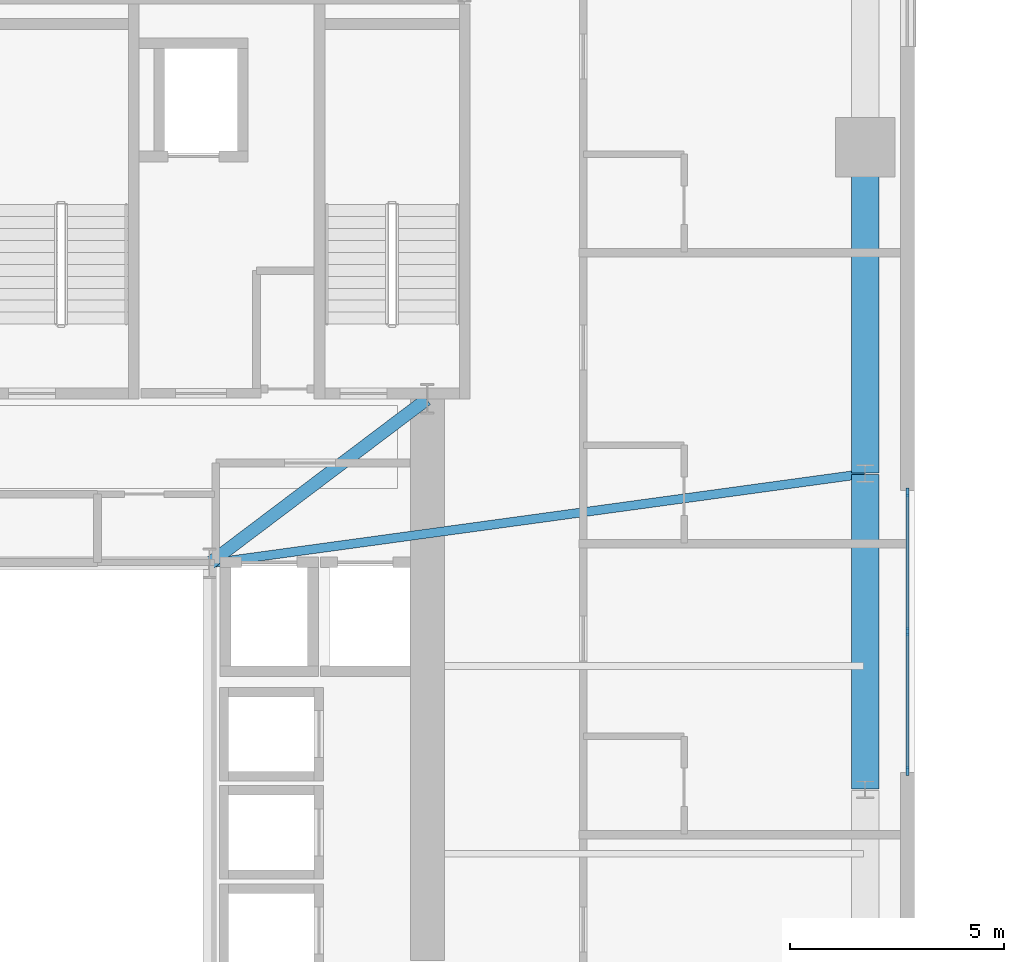
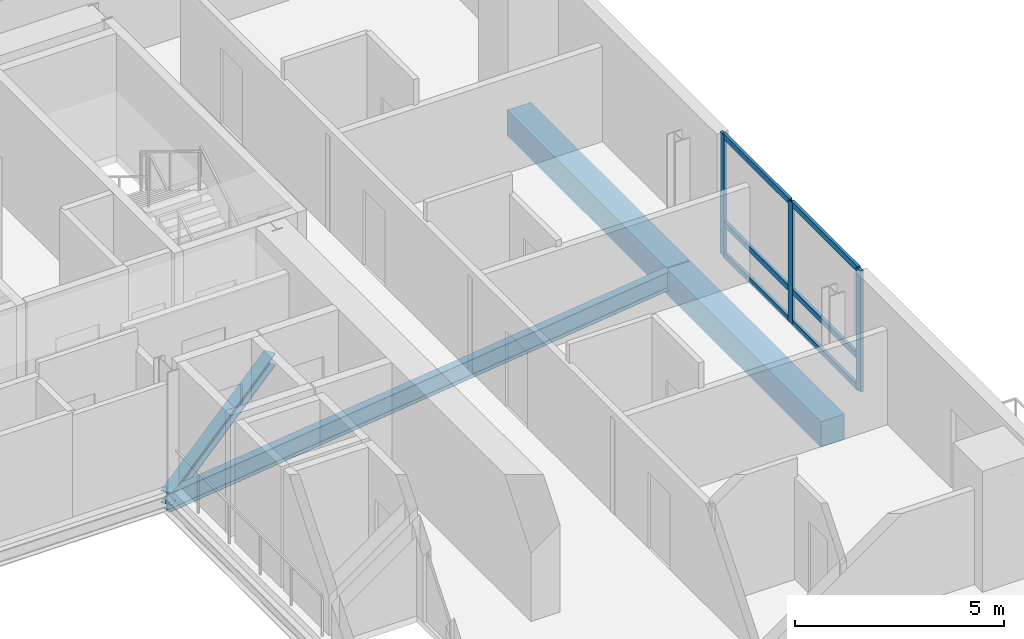
# One storey, part 5 of 16: 9 members, 4 beams, 1 element without a shape of its own.
"""IFC4 building model written with IfcOpenShell, lengths in metres."""

from ifc_helpers import new_model, si_unit, direction, frame, origin, origin_2d, place, context, subcontext, project, spatial, rectangle, i_section, extrude, source, transform, mapped, material, material_profile, profile_set, type_object, element, aggregate, save


model = new_model("IFC4")

# Units and contexts
model_context = context("Model", 3, precision=1e-05, world=origin(), true_north=direction((0.0, 1.0)))
body_context = subcontext(model_context, "Body", "Model", "MODEL_VIEW")
ifc_project = project(units=[si_unit("LENGTHUNIT", "METRE"), si_unit("AREAUNIT", "SQUARE_METRE"), si_unit("VOLUMEUNIT", "CUBIC_METRE"), si_unit("PLANEANGLEUNIT", "RADIAN"), si_unit("MASSUNIT", "GRAM", prefix="KILO")], contexts=[model_context])

# Site, building, storey
site_placement = place(None, origin())
site = spatial("IfcSite", under=ifc_project, at=site_placement, CompositionType="ELEMENT")
building_placement = place(site_placement, origin())
building = spatial("IfcBuilding", under=site, at=building_placement, Name="Vardaveli Station Tower", CompositionType="ELEMENT")
storey_placement = place(building_placement, frame((0.0, 0.0, 199.800048828125)))
storey = spatial("IfcBuildingStorey", under=building, at=storey_placement, Name="L51", CompositionType="ELEMENT", Elevation=199.800048828125)

# Beams
ifc_material_1 = material(Name="Structural steel S355J2", Category="steel")
ifc_material_profile_1 = material_profile(ifc_material_1, i_section(OverallWidth=0.300048828125, OverallDepth=0.360107421875, WebThickness=0.012451171875, FlangeThickness=0.0224609375, FilletRadius=0.027099609375, at=origin_2d()), Name="HEB 360")
ifc_profile_set_1 = profile_set([ifc_material_profile_1], Name="Structural steel S355J2")
beam_type_1 = type_object("IfcBeamType", Name="BM-HEB360", PredefinedType="BEAM", material=ifc_profile_set_1)
shared_shape_1 = source(origin(), body_context, "Body", "SweptSolid", [
    extrude(i_section(OverallWidth=0.300048828125, OverallDepth=0.360107421875, WebThickness=0.012451171875, FlangeThickness=0.0224609375, FilletRadius=0.027099609375, at=origin_2d()), origin(), (0.0, 0.0, 1.0), 6.35009765625),
])
beam_1_placement = place(storey_placement, frame((41.416015625, 26.81201171875, -0.400146484375), z_axis=(0.798118337722, 0.602500721154, 0.0), x_axis=(-0.602500721154, 0.798118337722, 0.0)))
element("IfcBeam", 1, at=beam_1_placement, inside=storey, type_object=beam_type_1, Name="CBM-L51-02", PredefinedType="BEAM", context=body_context, shape_type="MappedRepresentation", body=[
    mapped(shared_shape_1, transform((0.0, 0.0, 0.0), scale=1.0)),
])
ifc_material_2 = material(Name="Precast concrete C45/55", Category="concrete")
ifc_material_profile_2 = material_profile(ifc_material_2, rectangle(XDim=0.64990234375, YDim=0.75, at=origin_2d()), Name="LPB 650x750")
ifc_profile_set_2 = profile_set([ifc_material_profile_2], Name="Precast concrete C45/55")
beam_type_2 = type_object("IfcBeamType", Name="BM-LPB-750", PredefinedType="BEAM", material=ifc_profile_set_2)
shared_shape_2 = source(origin(), body_context, "Body", "SweptSolid", [
    extrude(rectangle(XDim=0.64990234375, YDim=0.75, at=origin_2d()), origin(), (0.0, 0.0, 1.0), 7.60009765625),
])
beam_2_placement = place(storey_placement, frame((56.75, 28.919921875, -0.594970703125), z_axis=(0.0, 1.0, 0.0), x_axis=(-1.0, 0.0, 0.0)))
element("IfcBeam", 2, at=beam_2_placement, inside=storey, type_object=beam_type_2, Name="RBM-L51-09", PredefinedType="BEAM", context=body_context, shape_type="MappedRepresentation", body=[
    mapped(shared_shape_2, transform((0.0, 0.0, 0.0), scale=1.0)),
])
shared_shape_3 = source(origin(), body_context, "Body", "SweptSolid", [
    extrude(rectangle(XDim=0.64990234375, YDim=0.75, at=origin_2d()), origin(), (0.0, 0.0, 1.0), 7.35986328125),
])
beam_3_placement = place(storey_placement, frame((56.75, 21.52001953125, -0.594970703125), z_axis=(0.0, 1.0, 0.0), x_axis=(-1.0, 0.0, 0.0)))
element("IfcBeam", 3, at=beam_3_placement, inside=storey, type_object=beam_type_2, Name="RBM-L51-08", PredefinedType="BEAM", context=body_context, shape_type="MappedRepresentation", body=[
    mapped(shared_shape_3, transform((0.0, 0.0, 0.0), scale=1.0)),
])
ifc_material_profile_3 = material_profile(ifc_material_1, i_section(OverallWidth=0.2099609375, OverallDepth=0.550048828125, WebThickness=0.010986328125, FlangeThickness=0.01708984375, FilletRadius=0.02392578125, at=origin_2d()), Name="IPE 550")
ifc_profile_set_3 = profile_set([ifc_material_profile_3], Name="Structural steel S355J2")
beam_type_3 = type_object("IfcBeamType", Name="BM-IPE550", PredefinedType="BEAM", material=ifc_profile_set_3)
shared_shape_4 = source(origin(), body_context, "Body", "SweptSolid", [
    extrude(i_section(OverallWidth=0.2099609375, OverallDepth=0.550048828125, WebThickness=0.010986328125, FlangeThickness=0.01708984375, FilletRadius=0.02392578125, at=origin_2d()), origin(), (0.0, 0.0, 1.0), 15.452880859375),
])
beam_4_placement = place(storey_placement, frame((56.730224609375, 28.897216796875, -0.4951171875), z_axis=(-0.99077191151, -0.135539733521, 0.0), x_axis=(0.135539733521, -0.99077191151, 0.0)))
element("IfcBeam", 4, at=beam_4_placement, inside=storey, type_object=beam_type_3, Name="GBM-L51-07", PredefinedType="BEAM", context=body_context, shape_type="MappedRepresentation", body=[
    mapped(shared_shape_4, transform((0.0, 0.0, 0.0), scale=1.0)),
])

# Curtain wall, members
ifc_material_3 = material(Name="Travertine stone and solar-control glass", Category="masonry")
curtain_wall_type = type_object("IfcCurtainWallType", Name="CW-SYS-5", PredefinedType="NOTDEFINED", material=ifc_material_3)
curtain_wall_placement = place(storey_placement, origin())
curtain_wall = element("IfcCurtainWall", 5, at=curtain_wall_placement, inside=storey, type_object=curtain_wall_type, Name="CW-L51-E", PredefinedType="NOTDEFINED")
ifc_material_4 = material(Name="Anodised aluminium alloy 6063-T6", Category="aluminium")
ifc_material_profile_4 = material_profile(ifc_material_4, rectangle(XDim=0.080078125, YDim=0.1650390625, at=origin_2d()), Name="CWT 80x165")
ifc_profile_set_4 = profile_set([ifc_material_profile_4], Name="Anodised aluminium alloy 6063-T6")
member_type_1 = type_object("IfcMemberType", Name="CW-SYS-5-TRAN", PredefinedType="NOTDEFINED", material=ifc_profile_set_4)
shared_shape_5 = source(origin(), body_context, "Body", "SweptSolid", [
    extrude(rectangle(XDim=0.080078125, YDim=0.1650390625, at=origin_2d()), origin(), (0.0, 0.0, 1.0), 3.179931640625),
])
member_1_placement = place(storey_placement, frame((57.739990234375, 21.97998046875, 0.0400390625), z_axis=(0.0, 1.0, 0.0), x_axis=(-1.0, 0.0, 0.0)))
member_1 = element("IfcMember", 6, at=member_1_placement, type_object=member_type_1, Name="CW-5 transom 1.1", ObjectType="TRANSOM", PredefinedType="USERDEFINED", context=body_context, shape_type="MappedRepresentation", body=[
    mapped(shared_shape_5, transform((0.0, 0.0, 0.0), scale=1.0)),
])
member_2_placement = place(storey_placement, frame((57.739990234375, 21.97998046875, 0.949951171875), z_axis=(0.0, 1.0, 0.0), x_axis=(-1.0, 0.0, 0.0)))
member_2 = element("IfcMember", 7, at=member_2_placement, type_object=member_type_1, Name="CW-5 transom 1.2", ObjectType="TRANSOM", PredefinedType="USERDEFINED", context=body_context, shape_type="MappedRepresentation", body=[
    mapped(shared_shape_5, transform((0.0, 0.0, 0.0), scale=1.0)),
])
member_3_placement = place(storey_placement, frame((57.739990234375, 21.97998046875, 3.489990234375), z_axis=(0.0, 1.0, 0.0), x_axis=(-1.0, 0.0, 0.0)))
member_3 = element("IfcMember", 8, at=member_3_placement, type_object=member_type_1, Name="CW-5 transom 1.3", ObjectType="TRANSOM", PredefinedType="USERDEFINED", context=body_context, shape_type="MappedRepresentation", body=[
    mapped(shared_shape_5, transform((0.0, 0.0, 0.0), scale=1.0)),
])
member_4_placement = place(storey_placement, frame((57.739990234375, 25.239990234375, 0.0400390625), z_axis=(0.0, 1.0, 0.0), x_axis=(-1.0, 0.0, 0.0)))
member_4 = element("IfcMember", 9, at=member_4_placement, type_object=member_type_1, Name="CW-5 transom 2.1", ObjectType="TRANSOM", PredefinedType="USERDEFINED", context=body_context, shape_type="MappedRepresentation", body=[
    mapped(shared_shape_5, transform((0.0, 0.0, 0.0), scale=1.0)),
])
member_5_placement = place(storey_placement, frame((57.739990234375, 25.239990234375, 0.949951171875), z_axis=(0.0, 1.0, 0.0), x_axis=(-1.0, 0.0, 0.0)))
member_5 = element("IfcMember", 10, at=member_5_placement, type_object=member_type_1, Name="CW-5 transom 2.2", ObjectType="TRANSOM", PredefinedType="USERDEFINED", context=body_context, shape_type="MappedRepresentation", body=[
    mapped(shared_shape_5, transform((0.0, 0.0, 0.0), scale=1.0)),
])
member_6_placement = place(storey_placement, frame((57.739990234375, 25.239990234375, 3.489990234375), z_axis=(0.0, 1.0, 0.0), x_axis=(-1.0, 0.0, 0.0)))
member_6 = element("IfcMember", 11, at=member_6_placement, type_object=member_type_1, Name="CW-5 transom 2.3", ObjectType="TRANSOM", PredefinedType="USERDEFINED", context=body_context, shape_type="MappedRepresentation", body=[
    mapped(shared_shape_5, transform((0.0, 0.0, 0.0), scale=1.0)),
])
ifc_material_profile_5 = material_profile(ifc_material_4, rectangle(XDim=0.080078125, YDim=0.205078125, at=origin_2d()), Name="CWM 80x205")
ifc_profile_set_5 = profile_set([ifc_material_profile_5], Name="Anodised aluminium alloy 6063-T6")
member_type_2 = type_object("IfcMemberType", Name="CW-SYS-5-MULL", PredefinedType="MULLION", material=ifc_profile_set_5)
shared_shape_6 = source(origin(), body_context, "Body", "SweptSolid", [
    extrude(rectangle(XDim=0.080078125, YDim=0.205078125, at=origin_2d()), origin(), (0.0, 0.0, 1.0), 3.530029296875),
])
member_7_placement = place(storey_placement, frame((57.739990234375, 21.93994140625, 0.0), z_axis=(0.0, 0.0, 1.0), x_axis=(-1.0, 0.0, 0.0)))
member_7 = element("IfcMember", 12, at=member_7_placement, type_object=member_type_2, Name="CW-5 mullion 1", PredefinedType="MULLION", context=body_context, shape_type="MappedRepresentation", body=[
    mapped(shared_shape_6, transform((0.0, 0.0, 0.0), scale=1.0)),
])
member_8_placement = place(storey_placement, frame((57.739990234375, 25.199951171875, 0.0), z_axis=(0.0, 0.0, 1.0), x_axis=(-1.0, 0.0, 0.0)))
member_8 = element("IfcMember", 13, at=member_8_placement, type_object=member_type_2, Name="CW-5 mullion 2", PredefinedType="MULLION", context=body_context, shape_type="MappedRepresentation", body=[
    mapped(shared_shape_6, transform((0.0, 0.0, 0.0), scale=1.0)),
])
member_9_placement = place(storey_placement, frame((57.739990234375, 28.4599609375, 0.0), z_axis=(0.0, 0.0, 1.0), x_axis=(-1.0, 0.0, 0.0)))
member_9 = element("IfcMember", 14, at=member_9_placement, type_object=member_type_2, Name="CW-5 mullion 3", PredefinedType="MULLION", context=body_context, shape_type="MappedRepresentation", body=[
    mapped(shared_shape_6, transform((0.0, 0.0, 0.0), scale=1.0)),
])
aggregate(curtain_wall, [member_7, member_8, member_9, member_1, member_2, member_3, member_4, member_5, member_6])

save(model, "model.ifc")
